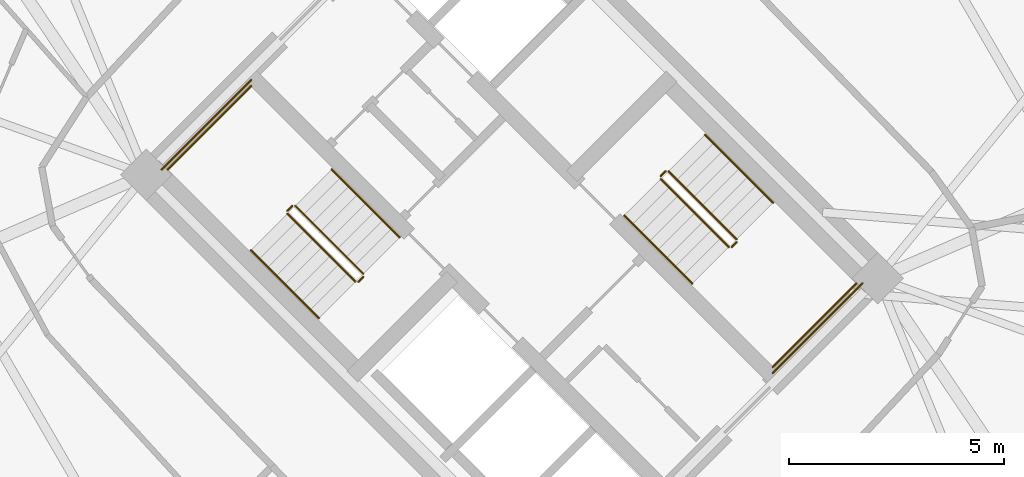
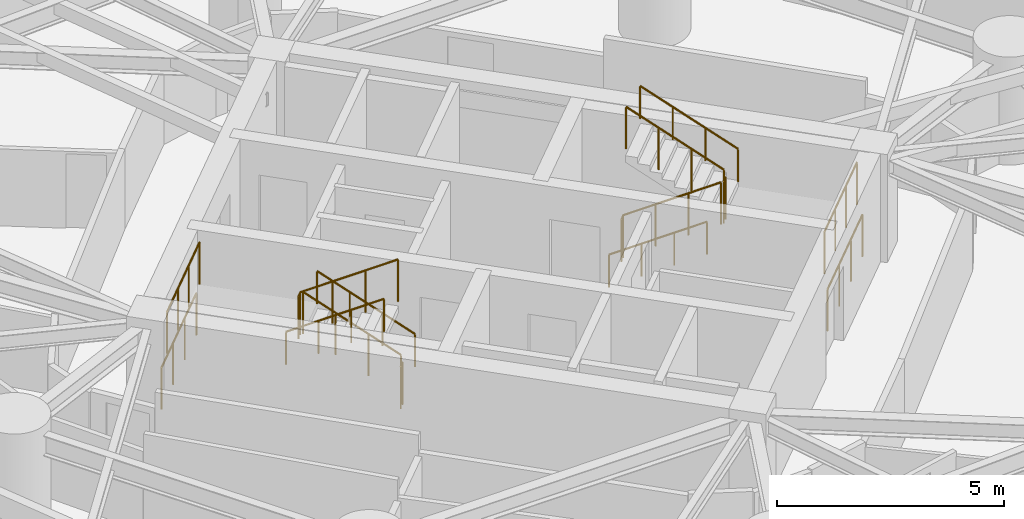
# One storey, part 17 of 17: 16 railings.
"""IFC4 building model written with IfcOpenShell, lengths in metres."""

from ifc_helpers import new_model, si_unit, direction, frame, origin, origin_2d, place, context, subcontext, project, spatial, circle, extrude, material, type_object, element, save


model = new_model("IFC4")

# Units and contexts
model_context = context("Model", 3, precision=1e-05, world=origin(), true_north=direction((0.0, 1.0)))
body_context = subcontext(model_context, "Body", "Model", "MODEL_VIEW")
ifc_project = project(units=[si_unit("LENGTHUNIT", "METRE"), si_unit("AREAUNIT", "SQUARE_METRE"), si_unit("VOLUMEUNIT", "CUBIC_METRE"), si_unit("PLANEANGLEUNIT", "RADIAN"), si_unit("MASSUNIT", "GRAM", prefix="KILO")], contexts=[model_context])

# Site, building, storey
site_placement = place(None, origin())
site = spatial("IfcSite", under=ifc_project, at=site_placement, CompositionType="ELEMENT")
building_placement = place(site_placement, origin())
building = spatial("IfcBuilding", under=site, at=building_placement, Name="Cununo Teusaquillo Station Towers", CompositionType="ELEMENT")
storey_placement = place(building_placement, frame((0.0, 0.0, 27.820068359375)))
storey = spatial("IfcBuildingStorey", under=building, at=storey_placement, Name="L07", CompositionType="ELEMENT", Elevation=27.820068359375)

# Railings
ifc_material_1 = material(Name="Steel EN 10025-2 S355J2", Category="steel")
railing_type_1 = type_object("IfcRailingType", Name="RL-INT-GUARD", PredefinedType="GUARDRAIL", material=ifc_material_1)
railing_1_placement = place(storey_placement, frame((54.03515625, 23.39697265625, 0.16162109375)))
element("IfcRailing", 1, at=railing_1_placement, inside=storey, type_object=railing_type_1, Name="L07 ST-T2-1 stair guard 1", PredefinedType="GUARDRAIL", context=body_context, shape_type="SweptSolid", body=[
    extrude(circle(Radius=0.02392578125, at=origin_2d()), frame((0.0, 0.0, 1.1259765625), z_axis=(-0.612361259024, 0.612361259024, 0.500027376144), x_axis=(-0.707106781187, -0.707106781187, 0.0)), (0.0, 0.0, 1.0), 2.586181640625),
    extrude(circle(Radius=0.02099609375, at=origin_2d()), origin(), (0.0, 0.0, 1.0), 1.101806640625),
    extrude(circle(Radius=0.02099609375, at=origin_2d()), frame((-0.52783203125, 0.52783203125, 0.43115234375)), (0.0, 0.0, 1.0), 1.101806640625),
    extrude(circle(Radius=0.02099609375, at=origin_2d()), frame((-1.055908203125, 1.055908203125, 0.862060546875)), (0.0, 0.0, 1.0), 1.101806640625),
    extrude(circle(Radius=0.02099609375, at=origin_2d()), frame((-1.583740234375, 1.583740234375, 1.293212890625)), (0.0, 0.0, 1.0), 1.101806640625),
])
railing_2_placement = place(storey_placement, frame((52.380615234375, 24.980712890625, 1.454833984375)))
element("IfcRailing", 2, at=railing_2_placement, inside=storey, type_object=railing_type_1, Name="L07 ST-T2-1 stair guard 2", PredefinedType="GUARDRAIL", context=body_context, shape_type="SweptSolid", body=[
    extrude(circle(Radius=0.02392578125, at=origin_2d()), frame((0.0, 0.0, 1.1259765625), z_axis=(-0.7078691598, -0.706343579714, 0.0), x_axis=(0.706343579714, -0.7078691598, 0.0)), (0.0, 0.0, 1.0), 0.159912109375),
    extrude(circle(Radius=0.02099609375, at=origin_2d()), origin(), (0.0, 0.0, 1.0), 1.101806640625),
    extrude(circle(Radius=0.02099609375, at=origin_2d()), frame((-0.11328125, -0.113037109375, 0.0)), (0.0, 0.0, 1.0), 1.101806640625),
])
railing_3_placement = place(storey_placement, frame((51.426025390625, 27.77392578125, 1.454833984375)))
element("IfcRailing", 3, at=railing_3_placement, inside=storey, type_object=railing_type_1, Name="L07 ST-T2-1 stair guard 3", PredefinedType="GUARDRAIL", context=body_context, shape_type="SweptSolid", body=[
    extrude(circle(Radius=0.02392578125, at=origin_2d()), frame((0.0, 0.0, 1.1259765625), z_axis=(-0.707106781187, -0.707106781187, 0.0), x_axis=(0.707106781187, -0.707106781187, 0.0)), (0.0, 0.0, 1.0), 2.760009765625),
    extrude(circle(Radius=0.02099609375, at=origin_2d()), origin(), (0.0, 0.0, 1.0), 1.101806640625),
    extrude(circle(Radius=0.02099609375, at=origin_2d()), frame((-0.650634765625, -0.650634765625, 0.0)), (0.0, 0.0, 1.0), 1.101806640625),
    extrude(circle(Radius=0.02099609375, at=origin_2d()), frame((-1.301025390625, -1.301025390625, 0.0)), (0.0, 0.0, 1.0), 1.101806640625),
    extrude(circle(Radius=0.02099609375, at=origin_2d()), frame((-1.95166015625, -1.95166015625, 0.0)), (0.0, 0.0, 1.0), 1.101806640625),
])
railing_4_placement = place(storey_placement, frame((52.267333984375, 24.796875, 1.61669921875)))
element("IfcRailing", 4, at=railing_4_placement, inside=storey, type_object=railing_type_1, Name="L07 ST-T2-1 stair guard 4", PredefinedType="GUARDRAIL", context=body_context, shape_type="SweptSolid", body=[
    extrude(circle(Radius=0.02392578125, at=origin_2d()), frame((0.0, 0.0, 1.1259765625), z_axis=(0.612420254088, -0.612325861324, 0.499998471934), x_axis=(0.707052281454, 0.707161276719, 0.0)), (0.0, 0.0, 1.0), 2.58642578125),
    extrude(circle(Radius=0.02099609375, at=origin_2d()), origin(), (0.0, 0.0, 1.0), 1.101806640625),
    extrude(circle(Radius=0.02099609375, at=origin_2d()), frame((0.528076171875, -0.52783203125, 0.43115234375)), (0.0, 0.0, 1.0), 1.101806640625),
    extrude(circle(Radius=0.02099609375, at=origin_2d()), frame((1.055908203125, -1.055908203125, 0.862060546875)), (0.0, 0.0, 1.0), 1.101806640625),
    extrude(circle(Radius=0.02099609375, at=origin_2d()), frame((1.583984375, -1.583740234375, 1.293212890625)), (0.0, 0.0, 1.0), 1.101806640625),
])
railing_5_placement = place(storey_placement, frame((54.03515625, 23.326171875, 0.0)))
element("IfcRailing", 5, at=railing_5_placement, inside=storey, type_object=railing_type_1, Name="L07 ST-T2-1 stair guard 5", PredefinedType="GUARDRAIL", context=body_context, shape_type="SweptSolid", body=[
    extrude(circle(Radius=0.02392578125, at=origin_2d()), frame((0.0, 0.0, 1.1259765625), z_axis=(-0.707106781187, -0.707106781187, 0.0), x_axis=(0.707106781187, -0.707106781187, 0.0)), (0.0, 0.0, 1.0), 0.159912109375),
    extrude(circle(Radius=0.02099609375, at=origin_2d()), origin(), (0.0, 0.0, 1.0), 1.101806640625),
    extrude(circle(Radius=0.02099609375, at=origin_2d()), frame((-0.113037109375, -0.113037109375, 0.0)), (0.0, 0.0, 1.0), 1.101806640625),
])
railing_6_placement = place(storey_placement, frame((51.426025390625, 27.915283203125, 0.0)))
element("IfcRailing", 6, at=railing_6_placement, inside=storey, type_object=railing_type_1, Name="L07 ST-T2-1 stair guard 6", PredefinedType="GUARDRAIL", context=body_context, shape_type="SweptSolid", body=[
    extrude(circle(Radius=0.02392578125, at=origin_2d()), frame((0.0, 0.0, 1.1259765625), z_axis=(-0.707106781187, -0.707106781187, 0.0), x_axis=(0.707106781187, -0.707106781187, 0.0)), (0.0, 0.0, 1.0), 2.9599609375),
    extrude(circle(Radius=0.02099609375, at=origin_2d()), origin(), (0.0, 0.0, 1.0), 1.101806640625),
    extrude(circle(Radius=0.02099609375, at=origin_2d()), frame((-0.69775390625, -0.69775390625, 0.0)), (0.0, 0.0, 1.0), 1.101806640625),
    extrude(circle(Radius=0.02099609375, at=origin_2d()), frame((-1.395263671875, -1.395263671875, 0.0)), (0.0, 0.0, 1.0), 1.101806640625),
    extrude(circle(Radius=0.02099609375, at=origin_2d()), frame((-2.093017578125, -2.093017578125, 0.0)), (0.0, 0.0, 1.0), 1.101806640625),
])
railing_7_placement = place(storey_placement, frame((60.96484375, 25.60302734375, 0.16162109375)))
element("IfcRailing", 7, at=railing_7_placement, inside=storey, type_object=railing_type_1, Name="L07 ST-T2-2 stair guard 1", PredefinedType="GUARDRAIL", context=body_context, shape_type="SweptSolid", body=[
    extrude(circle(Radius=0.02392578125, at=origin_2d()), frame((0.0, 0.0, 1.1259765625), z_axis=(0.612361259024, -0.612361259024, 0.500027376144), x_axis=(0.707106781187, 0.707106781187, 0.0)), (0.0, 0.0, 1.0), 2.586181640625),
    extrude(circle(Radius=0.02099609375, at=origin_2d()), origin(), (0.0, 0.0, 1.0), 1.101806640625),
    extrude(circle(Radius=0.02099609375, at=origin_2d()), frame((0.52783203125, -0.52783203125, 0.43115234375)), (0.0, 0.0, 1.0), 1.101806640625),
    extrude(circle(Radius=0.02099609375, at=origin_2d()), frame((1.055908203125, -1.055908203125, 0.862060546875)), (0.0, 0.0, 1.0), 1.101806640625),
    extrude(circle(Radius=0.02099609375, at=origin_2d()), frame((1.583740234375, -1.583740234375, 1.293212890625)), (0.0, 0.0, 1.0), 1.101806640625),
])
railing_8_placement = place(storey_placement, frame((62.619384765625, 24.019287109375, 1.454833984375)))
element("IfcRailing", 8, at=railing_8_placement, inside=storey, type_object=railing_type_1, Name="L07 ST-T2-2 stair guard 2", PredefinedType="GUARDRAIL", context=body_context, shape_type="SweptSolid", body=[
    extrude(circle(Radius=0.02392578125, at=origin_2d()), frame((0.0, 0.0, 1.1259765625), z_axis=(0.7078691598, 0.706343579714, 0.0), x_axis=(-0.706343579714, 0.7078691598, 0.0)), (0.0, 0.0, 1.0), 0.159912109375),
    extrude(circle(Radius=0.02099609375, at=origin_2d()), origin(), (0.0, 0.0, 1.0), 1.101806640625),
    extrude(circle(Radius=0.02099609375, at=origin_2d()), frame((0.11328125, 0.113037109375, 0.0)), (0.0, 0.0, 1.0), 1.101806640625),
])
railing_9_placement = place(storey_placement, frame((63.573974609375, 21.22607421875, 1.454833984375)))
element("IfcRailing", 9, at=railing_9_placement, inside=storey, type_object=railing_type_1, Name="L07 ST-T2-2 stair guard 3", PredefinedType="GUARDRAIL", context=body_context, shape_type="SweptSolid", body=[
    extrude(circle(Radius=0.02392578125, at=origin_2d()), frame((0.0, 0.0, 1.1259765625), z_axis=(0.707106781187, 0.707106781187, 0.0), x_axis=(-0.707106781187, 0.707106781187, 0.0)), (0.0, 0.0, 1.0), 2.760009765625),
    extrude(circle(Radius=0.02099609375, at=origin_2d()), origin(), (0.0, 0.0, 1.0), 1.101806640625),
    extrude(circle(Radius=0.02099609375, at=origin_2d()), frame((0.650634765625, 0.650634765625, 0.0)), (0.0, 0.0, 1.0), 1.101806640625),
    extrude(circle(Radius=0.02099609375, at=origin_2d()), frame((1.301025390625, 1.301025390625, 0.0)), (0.0, 0.0, 1.0), 1.101806640625),
    extrude(circle(Radius=0.02099609375, at=origin_2d()), frame((1.95166015625, 1.95166015625, 0.0)), (0.0, 0.0, 1.0), 1.101806640625),
])
railing_10_placement = place(storey_placement, frame((62.732666015625, 24.203125, 1.61669921875)))
element("IfcRailing", 10, at=railing_10_placement, inside=storey, type_object=railing_type_1, Name="L07 ST-T2-2 stair guard 4", PredefinedType="GUARDRAIL", context=body_context, shape_type="SweptSolid", body=[
    extrude(circle(Radius=0.02392578125, at=origin_2d()), frame((0.0, 0.0, 1.1259765625), z_axis=(-0.612420254088, 0.612325861324, 0.499998471934), x_axis=(-0.707052281454, -0.707161276719, 0.0)), (0.0, 0.0, 1.0), 2.58642578125),
    extrude(circle(Radius=0.02099609375, at=origin_2d()), origin(), (0.0, 0.0, 1.0), 1.101806640625),
    extrude(circle(Radius=0.02099609375, at=origin_2d()), frame((-0.528076171875, 0.52783203125, 0.43115234375)), (0.0, 0.0, 1.0), 1.101806640625),
    extrude(circle(Radius=0.02099609375, at=origin_2d()), frame((-1.055908203125, 1.055908203125, 0.862060546875)), (0.0, 0.0, 1.0), 1.101806640625),
    extrude(circle(Radius=0.02099609375, at=origin_2d()), frame((-1.583984375, 1.583740234375, 1.293212890625)), (0.0, 0.0, 1.0), 1.101806640625),
])
railing_11_placement = place(storey_placement, frame((60.96484375, 25.673828125, 0.0)))
element("IfcRailing", 11, at=railing_11_placement, inside=storey, type_object=railing_type_1, Name="L07 ST-T2-2 stair guard 5", PredefinedType="GUARDRAIL", context=body_context, shape_type="SweptSolid", body=[
    extrude(circle(Radius=0.02392578125, at=origin_2d()), frame((0.0, 0.0, 1.1259765625), z_axis=(0.707106781187, 0.707106781187, 0.0), x_axis=(-0.707106781187, 0.707106781187, 0.0)), (0.0, 0.0, 1.0), 0.159912109375),
    extrude(circle(Radius=0.02099609375, at=origin_2d()), origin(), (0.0, 0.0, 1.0), 1.101806640625),
    extrude(circle(Radius=0.02099609375, at=origin_2d()), frame((0.113037109375, 0.113037109375, 0.0)), (0.0, 0.0, 1.0), 1.101806640625),
])
railing_12_placement = place(storey_placement, frame((63.573974609375, 21.084716796875, 0.0)))
element("IfcRailing", 12, at=railing_12_placement, inside=storey, type_object=railing_type_1, Name="L07 ST-T2-2 stair guard 6", PredefinedType="GUARDRAIL", context=body_context, shape_type="SweptSolid", body=[
    extrude(circle(Radius=0.02392578125, at=origin_2d()), frame((0.0, 0.0, 1.1259765625), z_axis=(0.707106781187, 0.707106781187, 0.0), x_axis=(-0.707106781187, 0.707106781187, 0.0)), (0.0, 0.0, 1.0), 2.9599609375),
    extrude(circle(Radius=0.02099609375, at=origin_2d()), origin(), (0.0, 0.0, 1.0), 1.101806640625),
    extrude(circle(Radius=0.02099609375, at=origin_2d()), frame((0.69775390625, 0.69775390625, 0.0)), (0.0, 0.0, 1.0), 1.101806640625),
    extrude(circle(Radius=0.02099609375, at=origin_2d()), frame((1.395263671875, 1.395263671875, 0.0)), (0.0, 0.0, 1.0), 1.101806640625),
    extrude(circle(Radius=0.02099609375, at=origin_2d()), frame((2.093017578125, 2.093017578125, 0.0)), (0.0, 0.0, 1.0), 1.101806640625),
])
ifc_material_2 = material(Name="Steel EN 10025-2 S355J2", Category="steel")
railing_type_2 = type_object("IfcRailingType", Name="RL-INT-HRAIL", PredefinedType="HANDRAIL", material=ifc_material_2)
railing_13_placement = place(storey_placement, frame((54.8837890625, 24.245361328125, 0.16162109375)))
element("IfcRailing", 13, at=railing_13_placement, inside=storey, type_object=railing_type_2, Name="L07 ST-T2-1 stair handrail 1", PredefinedType="HANDRAIL", context=body_context, shape_type="SweptSolid", body=[
    extrude(circle(Radius=0.02392578125, at=origin_2d()), frame((0.0, 0.0, 0.8759765625), z_axis=(-0.612384857071, 0.612384857071, 0.499969572735), x_axis=(-0.707106781187, -0.707106781187, 0.0)), (0.0, 0.0, 1.0), 2.586669921875),
    extrude(circle(Radius=0.02099609375, at=origin_2d()), origin(), (0.0, 0.0, 1.0), 0.851806640625),
    extrude(circle(Radius=0.02099609375, at=origin_2d()), frame((-0.528076171875, 0.528076171875, 0.43115234375)), (0.0, 0.0, 1.0), 0.851806640625),
    extrude(circle(Radius=0.02099609375, at=origin_2d()), frame((-1.055908203125, 1.055908203125, 0.862060546875)), (0.0, 0.0, 1.0), 0.851806640625),
    extrude(circle(Radius=0.02099609375, at=origin_2d()), frame((-1.583984375, 1.583984375, 1.293212890625)), (0.0, 0.0, 1.0), 0.851806640625),
])
for number, where, name in (
    (14, (51.4189453125, 23.948486328125, 1.61669921875), "L07 ST-T2-1 stair handrail 2"),
    (15, (60.1162109375, 24.754638671875, 0.16162109375), "L07 ST-T2-2 stair handrail 1"),
):
    element("IfcRailing", number, at=place(storey_placement, frame(where)), inside=storey, type_object=railing_type_2, Name=name, PredefinedType="HANDRAIL", context=body_context, shape_type="SweptSolid", body=[
        extrude(circle(Radius=0.02392578125, at=origin_2d()), frame((0.0, 0.0, 0.8759765625), z_axis=(0.612384857071, -0.612384857071, 0.499969572735), x_axis=(0.707106781187, 0.707106781187, 0.0)), (0.0, 0.0, 1.0), 2.586669921875),
        extrude(circle(Radius=0.02099609375, at=origin_2d()), origin(), (0.0, 0.0, 1.0), 0.851806640625),
        extrude(circle(Radius=0.02099609375, at=origin_2d()), frame((0.528076171875, -0.528076171875, 0.43115234375)), (0.0, 0.0, 1.0), 0.851806640625),
        extrude(circle(Radius=0.02099609375, at=origin_2d()), frame((1.055908203125, -1.055908203125, 0.862060546875)), (0.0, 0.0, 1.0), 0.851806640625),
        extrude(circle(Radius=0.02099609375, at=origin_2d()), frame((1.583984375, -1.583984375, 1.293212890625)), (0.0, 0.0, 1.0), 0.851806640625),
    ])
railing_14_placement = place(storey_placement, frame((63.5810546875, 25.051513671875, 1.61669921875)))
element("IfcRailing", 16, at=railing_14_placement, inside=storey, type_object=railing_type_2, Name="L07 ST-T2-2 stair handrail 2", PredefinedType="HANDRAIL", context=body_context, shape_type="SweptSolid", body=[
    extrude(circle(Radius=0.02392578125, at=origin_2d()), frame((0.0, 0.0, 0.8759765625), z_axis=(-0.612384857071, 0.612384857071, 0.499969572735), x_axis=(-0.707106781187, -0.707106781187, 0.0)), (0.0, 0.0, 1.0), 2.586669921875),
    extrude(circle(Radius=0.02099609375, at=origin_2d()), origin(), (0.0, 0.0, 1.0), 0.851806640625),
    extrude(circle(Radius=0.02099609375, at=origin_2d()), frame((-0.528076171875, 0.528076171875, 0.43115234375)), (0.0, 0.0, 1.0), 0.851806640625),
    extrude(circle(Radius=0.02099609375, at=origin_2d()), frame((-1.055908203125, 1.055908203125, 0.862060546875)), (0.0, 0.0, 1.0), 0.851806640625),
    extrude(circle(Radius=0.02099609375, at=origin_2d()), frame((-1.583984375, 1.583984375, 1.293212890625)), (0.0, 0.0, 1.0), 0.851806640625),
])

save(model, "model.ifc")
